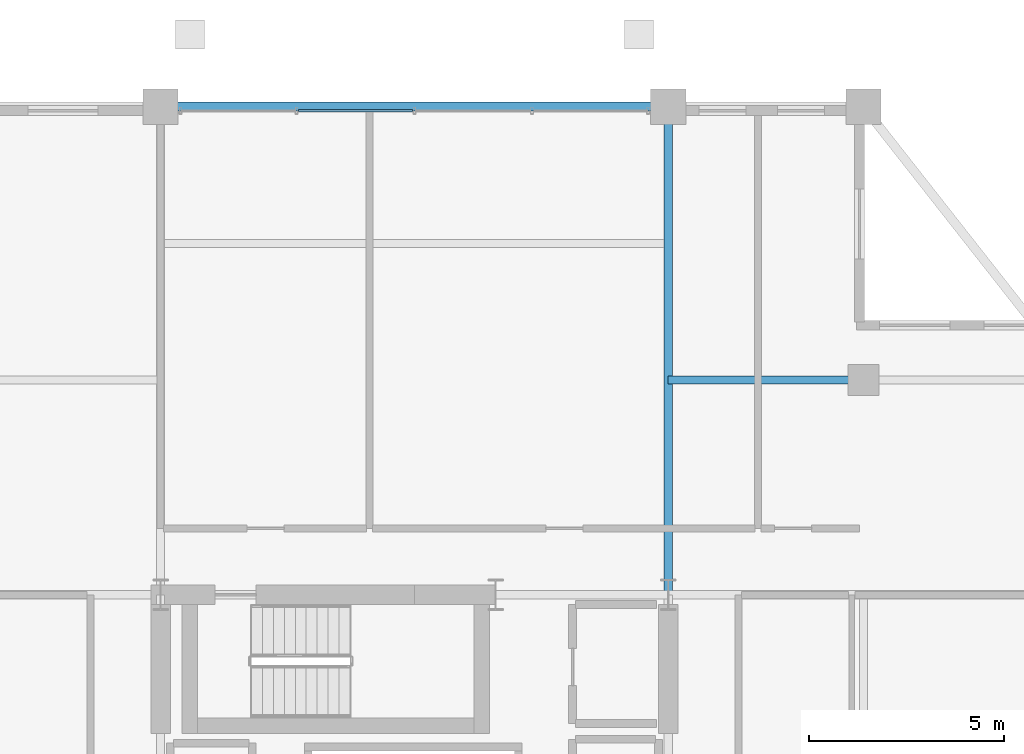
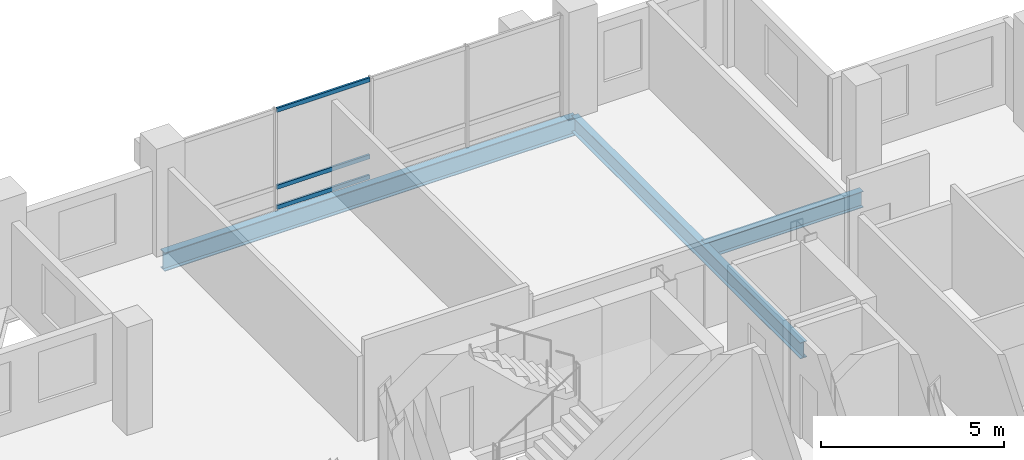
# One storey, part 13 of 21: 3 beams, 3 members, 1 element without a shape of its own.
"""IFC4 building model written with IfcOpenShell, lengths in metres."""

from ifc_helpers import new_model, si_unit, direction, frame, origin, origin_2d, place, context, subcontext, project, spatial, hollow_rectangle, i_section, extrude, material, layer, layer_set, material_profile, profile_set, type_object, element, aggregate, save


model = new_model("IFC4")

# Units and contexts
model_context = context("Model", 3, precision=1e-05, world=origin(), true_north=direction((0.0, 1.0)))
body_context = subcontext(model_context, "Body", "Model", "MODEL_VIEW")
ifc_project = project(units=[si_unit("LENGTHUNIT", "METRE"), si_unit("AREAUNIT", "SQUARE_METRE"), si_unit("VOLUMEUNIT", "CUBIC_METRE"), si_unit("PLANEANGLEUNIT", "RADIAN"), si_unit("MASSUNIT", "GRAM", prefix="KILO")], contexts=[model_context])

# Site, building, storey
site_placement = place(None, origin())
site = spatial("IfcSite", under=ifc_project, at=site_placement, CompositionType="ELEMENT")
building_placement = place(site_placement, origin())
building = spatial("IfcBuilding", under=site, at=building_placement, Name="Barlavira Tower and Art Museum", CompositionType="ELEMENT")
storey_placement = place(building_placement, frame((0.0, 0.0, 287.10009765625)))
storey = spatial("IfcBuildingStorey", under=building, at=storey_placement, Name="L75", CompositionType="ELEMENT", Elevation=287.10009765625)

# Curtain wall, members
ifc_material_1 = material(Name="Low-iron coastal laminated glass", Category="glass")
ifc_layer = layer(ifc_material_1, 0.2099609375, Name="Low-iron coastal laminated glass")
ifc_layer_set = layer_set([ifc_layer], Name="Low-iron coastal laminated glass")
curtain_wall_type = type_object("IfcCurtainWallType", Name="Pale-Metal Unitised Curtain Wall Zone 4", PredefinedType="NOTDEFINED", material=ifc_layer_set)
curtain_wall_placement = place(storey_placement, origin())
curtain_wall = element("IfcCurtainWall", 1, at=curtain_wall_placement, inside=storey, type_object=curtain_wall_type, Name="L75 Curtain Wall CW4-L75-N-B2", PredefinedType="NOTDEFINED")
ifc_material_2 = material(Name="Pale anodised aluminium", Category="aluminium")
ifc_material_profile_1 = material_profile(ifc_material_2, hollow_rectangle(XDim=0.06494140625, YDim=0.139892578125, WallThickness=0.00390625, at=origin_2d()), Name="ALU-TRAN 65x140x4")
ifc_profile_set_1 = profile_set([ifc_material_profile_1], Name="Pale anodised aluminium")
member_type = type_object("IfcMemberType", Name="Curtain Wall Pale-Metal Transom 65x140", PredefinedType="USERDEFINED", material=ifc_profile_set_1)
member_1_placement = place(storey_placement, frame((-0.044921875, 19.89990234375, 0.06982421875), z_axis=(-1.0, 0.0, 0.0), x_axis=(0.0, -1.0, 0.0)))
member_1 = element("IfcMember", 2, at=member_1_placement, type_object=member_type, Name="CW4-L75-N-B2 Transom 2.1", ObjectType="TRANSOM", PredefinedType="USERDEFINED", context=body_context, shape_type="SweptSolid", body=[
    extrude(hollow_rectangle(XDim=0.06494140625, YDim=0.139892578125, WallThickness=0.00390625, at=origin_2d()), origin(), (0.0, 0.0, 1.0), 2.925048828125),
])
member_2_placement = place(storey_placement, frame((-0.044921875, 19.89990234375, 0.743896484375), z_axis=(-1.0, 0.0, 0.0), x_axis=(0.0, -1.0, 0.0)))
member_2 = element("IfcMember", 3, at=member_2_placement, type_object=member_type, Name="CW4-L75-N-B2 Transom 2.2", ObjectType="TRANSOM", PredefinedType="USERDEFINED", context=body_context, shape_type="SweptSolid", body=[
    extrude(hollow_rectangle(XDim=0.06494140625, YDim=0.139892578125, WallThickness=0.00390625, at=origin_2d()), origin(), (0.0, 0.0, 1.0), 2.925048828125),
])
member_3_placement = place(storey_placement, frame((-0.044921875, 19.89990234375, 3.309814453125), z_axis=(-1.0, 0.0, 0.0), x_axis=(0.0, -1.0, 0.0)))
member_3 = element("IfcMember", 4, at=member_3_placement, type_object=member_type, Name="CW4-L75-N-B2 Transom 2.3", ObjectType="TRANSOM", PredefinedType="USERDEFINED", context=body_context, shape_type="SweptSolid", body=[
    extrude(hollow_rectangle(XDim=0.06494140625, YDim=0.139892578125, WallThickness=0.00390625, at=origin_2d()), origin(), (0.0, 0.0, 1.0), 2.925048828125),
])
aggregate(curtain_wall, [member_1, member_2, member_3])

# Beams
ifc_material_3 = material(Name="Steel S355", Category="steel")
ifc_material_profile_2 = material_profile(ifc_material_3, i_section(OverallWidth=0.22998046875, OverallDepth=0.616943359375, WebThickness=0.01318359375, FlangeThickness=0.022216796875, at=origin_2d()), Name="W610x140.0")
ifc_profile_set_2 = profile_set([ifc_material_profile_2], Name="Steel S355")
beam_type_1 = type_object("IfcBeamType", Name="Upper Shaft Spandrel Edge Beam W610x140 Steel S355", PredefinedType="SPANDREL", material=ifc_profile_set_2)
beam_1_placement = place(storey_placement, frame((-6.5, 20.0, -0.528564453125), z_axis=(1.0, 0.0, 0.0), x_axis=(0.0, 1.0, 0.0)))
element("IfcBeam", 5, at=beam_1_placement, inside=storey, type_object=beam_type_1, Name="L75 Spandrel 10", PredefinedType="SPANDREL", context=body_context, shape_type="SweptSolid", body=[
    extrude(i_section(OverallWidth=0.22998046875, OverallDepth=0.616943359375, WebThickness=0.01318359375, FlangeThickness=0.022216796875, at=origin_2d()), origin(), (0.0, 0.0, 1.0), 13.0),
])
ifc_material_profile_3 = material_profile(ifc_material_3, i_section(OverallWidth=0.2109375, OverallDepth=0.5390625, WebThickness=0.01171875, FlangeThickness=0.018798828125, at=origin_2d()), Name="W530x109.0")
ifc_profile_set_3 = profile_set([ifc_material_profile_3], Name="Steel S355")
beam_type_2 = type_object("IfcBeamType", Name="Zone 3-4 Primary Floor Girder W530x109 Steel S355", PredefinedType="BEAM", material=ifc_profile_set_3)
beam_2_placement = place(storey_placement, frame((6.5, 7.5, -0.489501953125), z_axis=(0.0, 1.0, 0.0), x_axis=(-1.0, 0.0, 0.0)))
element("IfcBeam", 6, at=beam_2_placement, inside=storey, type_object=beam_type_2, Name="L75 Girder R-N2", PredefinedType="BEAM", context=body_context, shape_type="SweptSolid", body=[
    extrude(i_section(OverallWidth=0.2109375, OverallDepth=0.5390625, WebThickness=0.01171875, FlangeThickness=0.018798828125, at=origin_2d()), origin(), (0.0, 0.0, 1.0), 12.5),
])
beam_3_placement = place(storey_placement, frame((6.5, 13.0, -0.489501953125), z_axis=(1.0, 0.0, 0.0), x_axis=(0.0, 1.0, 0.0)))
element("IfcBeam", 7, at=beam_3_placement, inside=storey, type_object=beam_type_2, Name="L75 Girder I-N3", PredefinedType="BEAM", context=body_context, shape_type="SweptSolid", body=[
    extrude(i_section(OverallWidth=0.2109375, OverallDepth=0.5390625, WebThickness=0.01171875, FlangeThickness=0.018798828125, at=origin_2d()), origin(), (0.0, 0.0, 1.0), 5.0),
])

save(model, "model.ifc")
